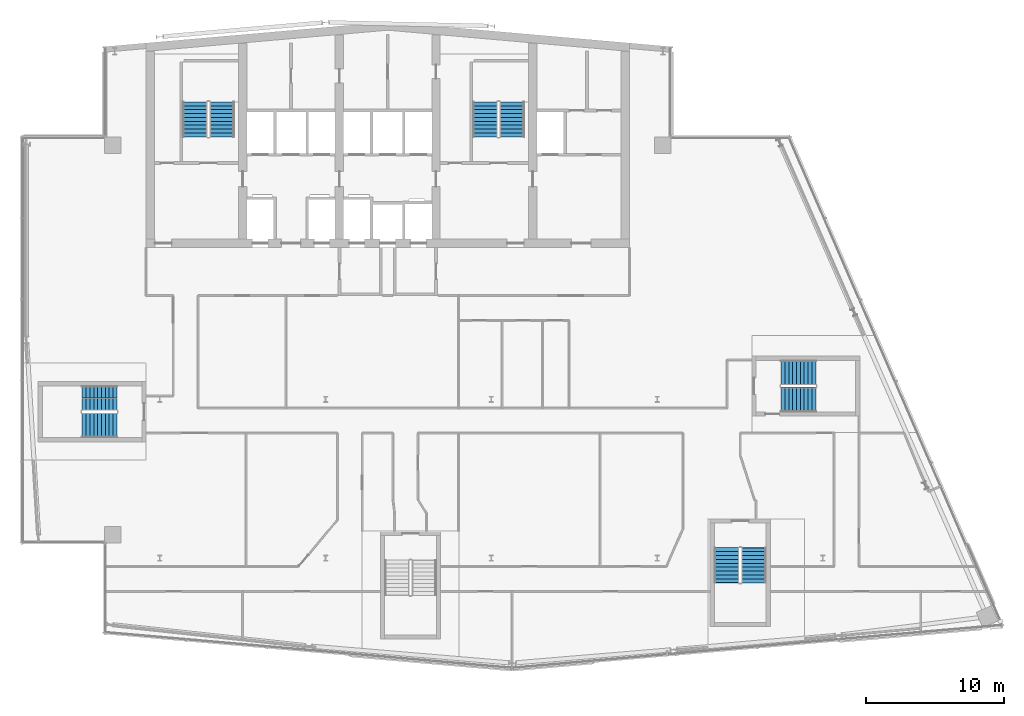
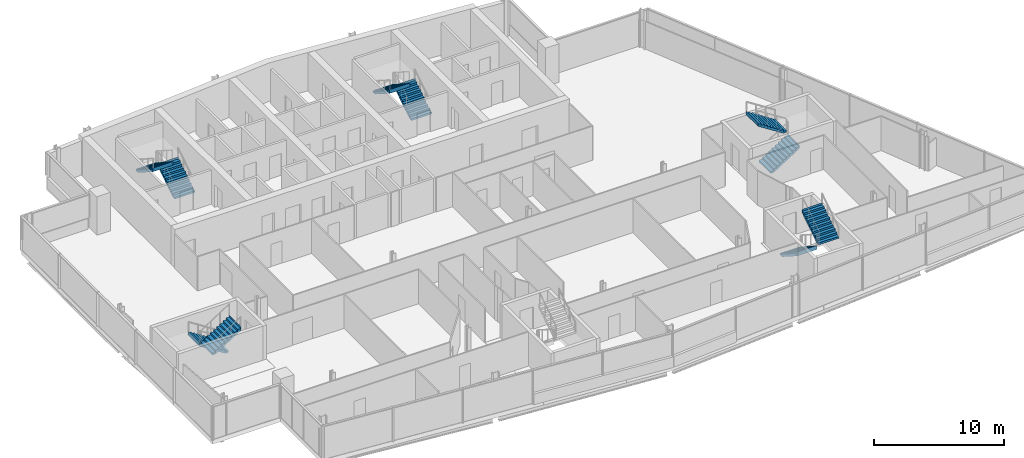
# One storey, part 19 of 22: 10 stair flights, 5 elements without a shape of their own.
"""IFC4 building model written with IfcOpenShell, lengths in metres."""

from ifc_helpers import new_model, si_unit, direction, frame, origin, place, context, subcontext, project, spatial, polyline, outline, extrude, material, type_object, element, aggregate, save


model = new_model("IFC4")

# Units and contexts
model_context = context("Model", 3, precision=1e-05, world=origin(), true_north=direction((0.0, 1.0)))
body_context = subcontext(model_context, "Body", "Model", "MODEL_VIEW")
ifc_project = project(units=[si_unit("LENGTHUNIT", "METRE"), si_unit("AREAUNIT", "SQUARE_METRE"), si_unit("VOLUMEUNIT", "CUBIC_METRE"), si_unit("PLANEANGLEUNIT", "RADIAN"), si_unit("MASSUNIT", "GRAM", prefix="KILO")], contexts=[model_context])

# Site, building, storey
site_placement = place(None, origin())
site = spatial("IfcSite", under=ifc_project, at=site_placement, CompositionType="ELEMENT")
building_placement = place(site_placement, origin())
building = spatial("IfcBuilding", under=site, at=building_placement, Name="Wharfspan Tower", CompositionType="ELEMENT")
storey_placement = place(building_placement, frame((0.0, 0.0, 246.699951)))
storey = spatial("IfcBuildingStorey", under=building, at=storey_placement, Name="L62", CompositionType="ELEMENT", Elevation=246.699951)

# Stair, stair flights
ifc_material = material(Name="Concrete C40/50", Category="concrete")
stair_type = type_object("IfcStairType", Name="Half-turn stair 20 risers 180 mm", PredefinedType="HALF_TURN_STAIR", material=ifc_material)
stair_1_placement = place(storey_placement, origin())
stair_1 = element("IfcStair", 1, at=stair_1_placement, inside=storey, type_object=stair_type, Name="L62 stair ST1", PredefinedType="HALF_TURN_STAIR")
stair_flight_type = type_object("IfcStairFlightType", Name="Stair flight 20 risers 180 mm", PredefinedType="STRAIGHT", material=ifc_material)
stair_flight_1_placement = place(storey_placement, frame((28.5, 42.0, 0.0), z_axis=(0.0, 0.0, 1.0), x_axis=(0.0, 1.0, 0.0)))
stair_flight_1 = element("IfcStairFlight", 2, at=stair_flight_1_placement, type_object=stair_flight_type, Name="ST1 flight 1", NumberOfRisers=10, NumberOfTreads=9, PredefinedType="STRAIGHT", RiserHeight=0.18, TreadLength=0.28, context=body_context, shape_type="SweptSolid", body=[
    extrude(outline(polyline([(-0.011963, 0.0), (-0.011963, 0.179932), (0.0, 0.179932), (0.280029, 0.179932), (0.280029, 0.360107), (0.560059, 0.360107), (0.560059, 0.540039), (0.840088, 0.540039), (0.840088, 0.719971), (1.120117, 0.719971), (1.120117, 0.899902), (1.399902, 0.899902), (1.399902, 1.080078), (1.679932, 1.080078), (1.679932, 1.26001), (1.959961, 1.26001), (1.959961, 1.439941), (2.23999, 1.439941), (2.23999, 1.620117), (2.52002, 1.620117), (2.531982, 1.800049), (2.531982, 1.441895), (0.2771, 0.0), (-0.011963, 0.0)])), frame((0.0, 0.899902, 0.0), z_axis=(0.0, -1.0, 0.0), x_axis=(1.0, 0.0, 0.0)), (0.0, 0.0, 1.0), 0.899414),
    extrude(outline(polyline([(-0.011963, 0.0), (-0.011963, 0.179932), (0.0, 0.179932), (0.280029, 0.179932), (0.280029, 0.360107), (0.560059, 0.360107), (0.560059, 0.540039), (0.840088, 0.540039), (0.840088, 0.719971), (1.120117, 0.719971), (1.120117, 0.899902), (1.399902, 0.899902), (1.399902, 1.080078), (1.679932, 1.080078), (1.679932, 1.26001), (1.959961, 1.26001), (1.959961, 1.439941), (2.23999, 1.439941), (2.23999, 1.620117), (2.52002, 1.620117), (2.531982, 1.800049), (2.531982, 1.441895), (0.2771, 0.0), (-0.011963, 0.0)])), frame((0.0, -0.000488, 0.0), z_axis=(0.0, -1.0, 0.0), x_axis=(1.0, 0.0, 0.0)), (0.0, 0.0, 1.0), 0.899414),
])
stair_flight_2_placement = place(storey_placement, frame((26.550049, 44.52002, 1.800049), z_axis=(0.0, 0.0, 1.0), x_axis=(0.0, -1.0, 0.0)))
stair_flight_2 = element("IfcStairFlight", 3, at=stair_flight_2_placement, type_object=stair_flight_type, Name="ST1 flight 2", NumberOfRisers=10, NumberOfTreads=9, PredefinedType="STRAIGHT", RiserHeight=0.18, TreadLength=0.28, context=body_context, shape_type="SweptSolid", body=[
    extrude(outline(polyline([(-0.011963, 0.0), (-0.011963, 0.179932), (0.0, 0.179932), (0.280029, 0.179932), (0.280029, 0.360107), (0.560059, 0.360107), (0.560059, 0.540039), (0.840088, 0.540039), (0.840088, 0.719971), (1.120117, 0.719971), (1.120117, 0.899902), (1.399902, 0.899902), (1.399902, 1.080078), (1.679932, 1.080078), (1.679932, 1.26001), (1.959961, 1.26001), (1.959961, 1.439941), (2.23999, 1.439941), (2.23999, 1.620117), (2.52002, 1.620117), (2.531982, 1.800049), (2.531982, 1.441895), (0.2771, 0.0), (-0.011963, 0.0)])), frame((0.0, 0.899902, 0.0), z_axis=(0.0, -1.0, 0.0), x_axis=(1.0, 0.0, 0.0)), (0.0, 0.0, 1.0), 0.899414),
    extrude(outline(polyline([(-0.011963, 0.0), (-0.011963, 0.179932), (0.0, 0.179932), (0.280029, 0.179932), (0.280029, 0.360107), (0.560059, 0.360107), (0.560059, 0.540039), (0.840088, 0.540039), (0.840088, 0.719971), (1.120117, 0.719971), (1.120117, 0.899902), (1.399902, 0.899902), (1.399902, 1.080078), (1.679932, 1.080078), (1.679932, 1.26001), (1.959961, 1.26001), (1.959961, 1.439941), (2.23999, 1.439941), (2.23999, 1.620117), (2.52002, 1.620117), (2.531982, 1.800049), (2.531982, 1.441895), (0.2771, 0.0), (-0.011963, 0.0)])), frame((0.0, -0.000488, 0.0), z_axis=(0.0, -1.0, 0.0), x_axis=(1.0, 0.0, 0.0)), (0.0, 0.0, 1.0), 0.899414),
])
aggregate(stair_1, [stair_flight_1, stair_flight_2])

stair_2_placement = place(storey_placement, origin())
stair_2 = element("IfcStair", 4, at=stair_2_placement, inside=storey, type_object=stair_type, Name="L62 stair ST2", PredefinedType="HALF_TURN_STAIR")
stair_flight_3_placement = place(storey_placement, frame((49.5, 42.0, 0.0), z_axis=(0.0, 0.0, 1.0), x_axis=(0.0, 1.0, 0.0)))
stair_flight_3 = element("IfcStairFlight", 5, at=stair_flight_3_placement, type_object=stair_flight_type, Name="ST2 flight 1", NumberOfRisers=10, NumberOfTreads=9, PredefinedType="STRAIGHT", RiserHeight=0.18, TreadLength=0.28, context=body_context, shape_type="SweptSolid", body=[
    extrude(outline(polyline([(-0.011963, 0.0), (-0.011963, 0.179932), (0.0, 0.179932), (0.280029, 0.179932), (0.280029, 0.360107), (0.560059, 0.360107), (0.560059, 0.540039), (0.840088, 0.540039), (0.840088, 0.719971), (1.120117, 0.719971), (1.120117, 0.899902), (1.399902, 0.899902), (1.399902, 1.080078), (1.679932, 1.080078), (1.679932, 1.26001), (1.959961, 1.26001), (1.959961, 1.439941), (2.23999, 1.439941), (2.23999, 1.620117), (2.52002, 1.620117), (2.531982, 1.800049), (2.531982, 1.441895), (0.2771, 0.0), (-0.011963, 0.0)])), frame((0.0, 0.899902, 0.0), z_axis=(0.0, -1.0, 0.0), x_axis=(1.0, 0.0, 0.0)), (0.0, 0.0, 1.0), 0.899414),
    extrude(outline(polyline([(-0.011963, 0.0), (-0.011963, 0.179932), (0.0, 0.179932), (0.280029, 0.179932), (0.280029, 0.360107), (0.560059, 0.360107), (0.560059, 0.540039), (0.840088, 0.540039), (0.840088, 0.719971), (1.120117, 0.719971), (1.120117, 0.899902), (1.399902, 0.899902), (1.399902, 1.080078), (1.679932, 1.080078), (1.679932, 1.26001), (1.959961, 1.26001), (1.959961, 1.439941), (2.23999, 1.439941), (2.23999, 1.620117), (2.52002, 1.620117), (2.531982, 1.800049), (2.531982, 1.441895), (0.2771, 0.0), (-0.011963, 0.0)])), frame((0.0, -0.000488, 0.0), z_axis=(0.0, -1.0, 0.0), x_axis=(1.0, 0.0, 0.0)), (0.0, 0.0, 1.0), 0.899414),
])
stair_flight_4_placement = place(storey_placement, frame((47.550049, 44.52002, 1.800049), z_axis=(0.0, 0.0, 1.0), x_axis=(0.0, -1.0, 0.0)))
stair_flight_4 = element("IfcStairFlight", 6, at=stair_flight_4_placement, type_object=stair_flight_type, Name="ST2 flight 2", NumberOfRisers=10, NumberOfTreads=9, PredefinedType="STRAIGHT", RiserHeight=0.18, TreadLength=0.28, context=body_context, shape_type="SweptSolid", body=[
    extrude(outline(polyline([(-0.011963, 0.0), (-0.011963, 0.179932), (0.0, 0.179932), (0.280029, 0.179932), (0.280029, 0.360107), (0.560059, 0.360107), (0.560059, 0.540039), (0.840088, 0.540039), (0.840088, 0.719971), (1.120117, 0.719971), (1.120117, 0.899902), (1.399902, 0.899902), (1.399902, 1.080078), (1.679932, 1.080078), (1.679932, 1.26001), (1.959961, 1.26001), (1.959961, 1.439941), (2.23999, 1.439941), (2.23999, 1.620117), (2.52002, 1.620117), (2.531982, 1.800049), (2.531982, 1.441895), (0.2771, 0.0), (-0.011963, 0.0)])), frame((0.0, 0.899902, 0.0), z_axis=(0.0, -1.0, 0.0), x_axis=(1.0, 0.0, 0.0)), (0.0, 0.0, 1.0), 0.899414),
    extrude(outline(polyline([(-0.011963, 0.0), (-0.011963, 0.179932), (0.0, 0.179932), (0.280029, 0.179932), (0.280029, 0.360107), (0.560059, 0.360107), (0.560059, 0.540039), (0.840088, 0.540039), (0.840088, 0.719971), (1.120117, 0.719971), (1.120117, 0.899902), (1.399902, 0.899902), (1.399902, 1.080078), (1.679932, 1.080078), (1.679932, 1.26001), (1.959961, 1.26001), (1.959961, 1.439941), (2.23999, 1.439941), (2.23999, 1.620117), (2.52002, 1.620117), (2.531982, 1.800049), (2.531982, 1.441895), (0.2771, 0.0), (-0.011963, 0.0)])), frame((0.0, -0.000488, 0.0), z_axis=(0.0, -1.0, 0.0), x_axis=(1.0, 0.0, 0.0)), (0.0, 0.0, 1.0), 0.899414),
])
aggregate(stair_2, [stair_flight_3, stair_flight_4])

stair_3_placement = place(storey_placement, origin())
stair_3 = element("IfcStair", 7, at=stair_3_placement, inside=storey, type_object=stair_type, Name="L62 stair ST3", PredefinedType="HALF_TURN_STAIR")
stair_flight_5_placement = place(storey_placement, frame((20.899902, 23.074951, 0.0), z_axis=(0.0, 0.0, 1.0), x_axis=(-1.0, 0.0, 0.0)))
stair_flight_5 = element("IfcStairFlight", 8, at=stair_flight_5_placement, type_object=stair_flight_type, Name="ST3 flight 1", NumberOfRisers=10, NumberOfTreads=9, PredefinedType="STRAIGHT", RiserHeight=0.18, TreadLength=0.28, context=body_context, shape_type="SweptSolid", body=[
    extrude(outline(polyline([(-0.011963, 0.0), (-0.011963, 0.179932), (0.0, 0.179932), (0.280029, 0.179932), (0.280029, 0.360107), (0.560059, 0.360107), (0.560059, 0.540039), (0.840088, 0.540039), (0.840088, 0.719971), (1.120117, 0.719971), (1.120117, 0.899902), (1.399902, 0.899902), (1.399902, 1.080078), (1.679932, 1.080078), (1.679932, 1.26001), (1.959961, 1.26001), (1.959961, 1.439941), (2.23999, 1.439941), (2.23999, 1.620117), (2.52002, 1.620117), (2.531982, 1.800049), (2.531982, 1.441895), (0.2771, 0.0), (-0.011963, 0.0)])), frame((0.0, 0.899902, 0.0), z_axis=(0.0, -1.0, 0.0), x_axis=(1.0, 0.0, 0.0)), (0.0, 0.0, 1.0), 0.899414),
    extrude(outline(polyline([(-0.011963, 0.0), (-0.011963, 0.179932), (0.0, 0.179932), (0.280029, 0.179932), (0.280029, 0.360107), (0.560059, 0.360107), (0.560059, 0.540039), (0.840088, 0.540039), (0.840088, 0.719971), (1.120117, 0.719971), (1.120117, 0.899902), (1.399902, 0.899902), (1.399902, 1.080078), (1.679932, 1.080078), (1.679932, 1.26001), (1.959961, 1.26001), (1.959961, 1.439941), (2.23999, 1.439941), (2.23999, 1.620117), (2.52002, 1.620117), (2.531982, 1.800049), (2.531982, 1.441895), (0.2771, 0.0), (-0.011963, 0.0)])), frame((0.0, -0.000488, 0.0), z_axis=(0.0, -1.0, 0.0), x_axis=(1.0, 0.0, 0.0)), (0.0, 0.0, 1.0), 0.899414),
])
stair_flight_6_placement = place(storey_placement, frame((18.379883, 21.125, 1.800049), z_axis=(0.0, 0.0, 1.0), x_axis=(1.0, 0.0, 0.0)))
stair_flight_6 = element("IfcStairFlight", 9, at=stair_flight_6_placement, type_object=stair_flight_type, Name="ST3 flight 2", NumberOfRisers=10, NumberOfTreads=9, PredefinedType="STRAIGHT", RiserHeight=0.18, TreadLength=0.28, context=body_context, shape_type="SweptSolid", body=[
    extrude(outline(polyline([(-0.011963, 0.0), (-0.011963, 0.179932), (0.0, 0.179932), (0.280029, 0.179932), (0.280029, 0.360107), (0.560059, 0.360107), (0.560059, 0.540039), (0.840088, 0.540039), (0.840088, 0.719971), (1.120117, 0.719971), (1.120117, 0.899902), (1.399902, 0.899902), (1.399902, 1.080078), (1.679932, 1.080078), (1.679932, 1.26001), (1.959961, 1.26001), (1.959961, 1.439941), (2.23999, 1.439941), (2.23999, 1.620117), (2.52002, 1.620117), (2.531982, 1.800049), (2.531982, 1.441895), (0.2771, 0.0), (-0.011963, 0.0)])), frame((0.0, 0.899902, 0.0), z_axis=(0.0, -1.0, 0.0), x_axis=(1.0, 0.0, 0.0)), (0.0, 0.0, 1.0), 0.899414),
    extrude(outline(polyline([(-0.011963, 0.0), (-0.011963, 0.179932), (0.0, 0.179932), (0.280029, 0.179932), (0.280029, 0.360107), (0.560059, 0.360107), (0.560059, 0.540039), (0.840088, 0.540039), (0.840088, 0.719971), (1.120117, 0.719971), (1.120117, 0.899902), (1.399902, 0.899902), (1.399902, 1.080078), (1.679932, 1.080078), (1.679932, 1.26001), (1.959961, 1.26001), (1.959961, 1.439941), (2.23999, 1.439941), (2.23999, 1.620117), (2.52002, 1.620117), (2.531982, 1.800049), (2.531982, 1.441895), (0.2771, 0.0), (-0.011963, 0.0)])), frame((0.0, -0.000488, 0.0), z_axis=(0.0, -1.0, 0.0), x_axis=(1.0, 0.0, 0.0)), (0.0, 0.0, 1.0), 0.899414),
])
aggregate(stair_3, [stair_flight_5, stair_flight_6])

stair_4_placement = place(storey_placement, origin())
stair_4 = element("IfcStair", 10, at=stair_4_placement, inside=storey, type_object=stair_type, Name="L62 stair ST5", PredefinedType="HALF_TURN_STAIR")
stair_flight_7_placement = place(storey_placement, frame((65.043701, 12.246094, 0.0), z_axis=(0.0, 0.0, 1.0), x_axis=(0.0, -1.0, 0.0)))
stair_flight_7 = element("IfcStairFlight", 11, at=stair_flight_7_placement, type_object=stair_flight_type, Name="ST5 flight 1", NumberOfRisers=10, NumberOfTreads=9, PredefinedType="STRAIGHT", RiserHeight=0.18, TreadLength=0.28, context=body_context, shape_type="SweptSolid", body=[
    extrude(outline(polyline([(-0.011963, 0.0), (-0.011963, 0.179932), (0.0, 0.179932), (0.280029, 0.179932), (0.280029, 0.360107), (0.560059, 0.360107), (0.560059, 0.540039), (0.840088, 0.540039), (0.840088, 0.719971), (1.120117, 0.719971), (1.120117, 0.899902), (1.399902, 0.899902), (1.399902, 1.080078), (1.679932, 1.080078), (1.679932, 1.26001), (1.959961, 1.26001), (1.959961, 1.439941), (2.23999, 1.439941), (2.23999, 1.620117), (2.52002, 1.620117), (2.531982, 1.800049), (2.531982, 1.441895), (0.2771, 0.0), (-0.011963, 0.0)])), frame((0.0, 0.899902, 0.0), z_axis=(0.0, -1.0, 0.0), x_axis=(1.0, 0.0, 0.0)), (0.0, 0.0, 1.0), 0.899414),
    extrude(outline(polyline([(-0.011963, 0.0), (-0.011963, 0.179932), (0.0, 0.179932), (0.280029, 0.179932), (0.280029, 0.360107), (0.560059, 0.360107), (0.560059, 0.540039), (0.840088, 0.540039), (0.840088, 0.719971), (1.120117, 0.719971), (1.120117, 0.899902), (1.399902, 0.899902), (1.399902, 1.080078), (1.679932, 1.080078), (1.679932, 1.26001), (1.959961, 1.26001), (1.959961, 1.439941), (2.23999, 1.439941), (2.23999, 1.620117), (2.52002, 1.620117), (2.531982, 1.800049), (2.531982, 1.441895), (0.2771, 0.0), (-0.011963, 0.0)])), frame((0.0, -0.000488, 0.0), z_axis=(0.0, -1.0, 0.0), x_axis=(1.0, 0.0, 0.0)), (0.0, 0.0, 1.0), 0.899414),
])
stair_flight_8_placement = place(storey_placement, frame((66.993896, 9.726074, 1.800049), z_axis=(0.0, 0.0, 1.0), x_axis=(0.0, 1.0, 0.0)))
stair_flight_8 = element("IfcStairFlight", 12, at=stair_flight_8_placement, type_object=stair_flight_type, Name="ST5 flight 2", NumberOfRisers=10, NumberOfTreads=9, PredefinedType="STRAIGHT", RiserHeight=0.18, TreadLength=0.28, context=body_context, shape_type="SweptSolid", body=[
    extrude(outline(polyline([(-0.011963, 0.0), (-0.011963, 0.179932), (0.0, 0.179932), (0.280029, 0.179932), (0.280029, 0.360107), (0.560059, 0.360107), (0.560059, 0.540039), (0.840088, 0.540039), (0.840088, 0.719971), (1.120117, 0.719971), (1.120117, 0.899902), (1.399902, 0.899902), (1.399902, 1.080078), (1.679932, 1.080078), (1.679932, 1.26001), (1.959961, 1.26001), (1.959961, 1.439941), (2.23999, 1.439941), (2.23999, 1.620117), (2.52002, 1.620117), (2.531982, 1.800049), (2.531982, 1.441895), (0.2771, 0.0), (-0.011963, 0.0)])), frame((0.0, 0.899902, 0.0), z_axis=(0.0, -1.0, 0.0), x_axis=(1.0, 0.0, 0.0)), (0.0, 0.0, 1.0), 0.899414),
    extrude(outline(polyline([(-0.011963, 0.0), (-0.011963, 0.179932), (0.0, 0.179932), (0.280029, 0.179932), (0.280029, 0.360107), (0.560059, 0.360107), (0.560059, 0.540039), (0.840088, 0.540039), (0.840088, 0.719971), (1.120117, 0.719971), (1.120117, 0.899902), (1.399902, 0.899902), (1.399902, 1.080078), (1.679932, 1.080078), (1.679932, 1.26001), (1.959961, 1.26001), (1.959961, 1.439941), (2.23999, 1.439941), (2.23999, 1.620117), (2.52002, 1.620117), (2.531982, 1.800049), (2.531982, 1.441895), (0.2771, 0.0), (-0.011963, 0.0)])), frame((0.0, -0.000488, 0.0), z_axis=(0.0, -1.0, 0.0), x_axis=(1.0, 0.0, 0.0)), (0.0, 0.0, 1.0), 0.899414),
])
aggregate(stair_4, [stair_flight_7, stair_flight_8])

stair_5_placement = place(storey_placement, origin())
stair_5 = element("IfcStair", 13, at=stair_5_placement, inside=storey, type_object=stair_type, Name="L62 stair ST6", PredefinedType="HALF_TURN_STAIR")
stair_flight_9_placement = place(storey_placement, frame((68.969482, 22.975098, 0.0), z_axis=(0.0, 0.0, 1.0), x_axis=(1.0, 0.0, 0.0)))
stair_flight_9 = element("IfcStairFlight", 14, at=stair_flight_9_placement, type_object=stair_flight_type, Name="ST6 flight 1", NumberOfRisers=10, NumberOfTreads=9, PredefinedType="STRAIGHT", RiserHeight=0.18, TreadLength=0.28, context=body_context, shape_type="SweptSolid", body=[
    extrude(outline(polyline([(-0.011963, 0.0), (-0.011963, 0.179932), (0.0, 0.179932), (0.280029, 0.179932), (0.280029, 0.360107), (0.560059, 0.360107), (0.560059, 0.540039), (0.840088, 0.540039), (0.840088, 0.719971), (1.120117, 0.719971), (1.120117, 0.899902), (1.399902, 0.899902), (1.399902, 1.080078), (1.679932, 1.080078), (1.679932, 1.26001), (1.959961, 1.26001), (1.959961, 1.439941), (2.23999, 1.439941), (2.23999, 1.620117), (2.52002, 1.620117), (2.531982, 1.800049), (2.531982, 1.441895), (0.2771, 0.0), (-0.011963, 0.0)])), frame((0.0, 0.899902, 0.0), z_axis=(0.0, -1.0, 0.0), x_axis=(1.0, 0.0, 0.0)), (0.0, 0.0, 1.0), 0.899414),
    extrude(outline(polyline([(-0.011963, 0.0), (-0.011963, 0.179932), (0.0, 0.179932), (0.280029, 0.179932), (0.280029, 0.360107), (0.560059, 0.360107), (0.560059, 0.540039), (0.840088, 0.540039), (0.840088, 0.719971), (1.120117, 0.719971), (1.120117, 0.899902), (1.399902, 0.899902), (1.399902, 1.080078), (1.679932, 1.080078), (1.679932, 1.26001), (1.959961, 1.26001), (1.959961, 1.439941), (2.23999, 1.439941), (2.23999, 1.620117), (2.52002, 1.620117), (2.531982, 1.800049), (2.531982, 1.441895), (0.2771, 0.0), (-0.011963, 0.0)])), frame((0.0, -0.000488, 0.0), z_axis=(0.0, -1.0, 0.0), x_axis=(1.0, 0.0, 0.0)), (0.0, 0.0, 1.0), 0.899414),
])
stair_flight_10_placement = place(storey_placement, frame((71.489502, 24.925049, 1.800049), z_axis=(0.0, 0.0, 1.0), x_axis=(-1.0, 0.0, 0.0)))
stair_flight_10 = element("IfcStairFlight", 15, at=stair_flight_10_placement, type_object=stair_flight_type, Name="ST6 flight 2", NumberOfRisers=10, NumberOfTreads=9, PredefinedType="STRAIGHT", RiserHeight=0.18, TreadLength=0.28, context=body_context, shape_type="SweptSolid", body=[
    extrude(outline(polyline([(-0.011963, 0.0), (-0.011963, 0.179932), (0.0, 0.179932), (0.280029, 0.179932), (0.280029, 0.360107), (0.560059, 0.360107), (0.560059, 0.540039), (0.840088, 0.540039), (0.840088, 0.719971), (1.120117, 0.719971), (1.120117, 0.899902), (1.399902, 0.899902), (1.399902, 1.080078), (1.679932, 1.080078), (1.679932, 1.26001), (1.959961, 1.26001), (1.959961, 1.439941), (2.23999, 1.439941), (2.23999, 1.620117), (2.52002, 1.620117), (2.531982, 1.800049), (2.531982, 1.441895), (0.2771, 0.0), (-0.011963, 0.0)])), frame((0.0, 0.899902, 0.0), z_axis=(0.0, -1.0, 0.0), x_axis=(1.0, 0.0, 0.0)), (0.0, 0.0, 1.0), 0.899414),
    extrude(outline(polyline([(-0.011963, 0.0), (-0.011963, 0.179932), (0.0, 0.179932), (0.280029, 0.179932), (0.280029, 0.360107), (0.560059, 0.360107), (0.560059, 0.540039), (0.840088, 0.540039), (0.840088, 0.719971), (1.120117, 0.719971), (1.120117, 0.899902), (1.399902, 0.899902), (1.399902, 1.080078), (1.679932, 1.080078), (1.679932, 1.26001), (1.959961, 1.26001), (1.959961, 1.439941), (2.23999, 1.439941), (2.23999, 1.620117), (2.52002, 1.620117), (2.531982, 1.800049), (2.531982, 1.441895), (0.2771, 0.0), (-0.011963, 0.0)])), frame((0.0, -0.000488, 0.0), z_axis=(0.0, -1.0, 0.0), x_axis=(1.0, 0.0, 0.0)), (0.0, 0.0, 1.0), 0.899414),
])
aggregate(stair_5, [stair_flight_9, stair_flight_10])

save(model, "model.ifc")
